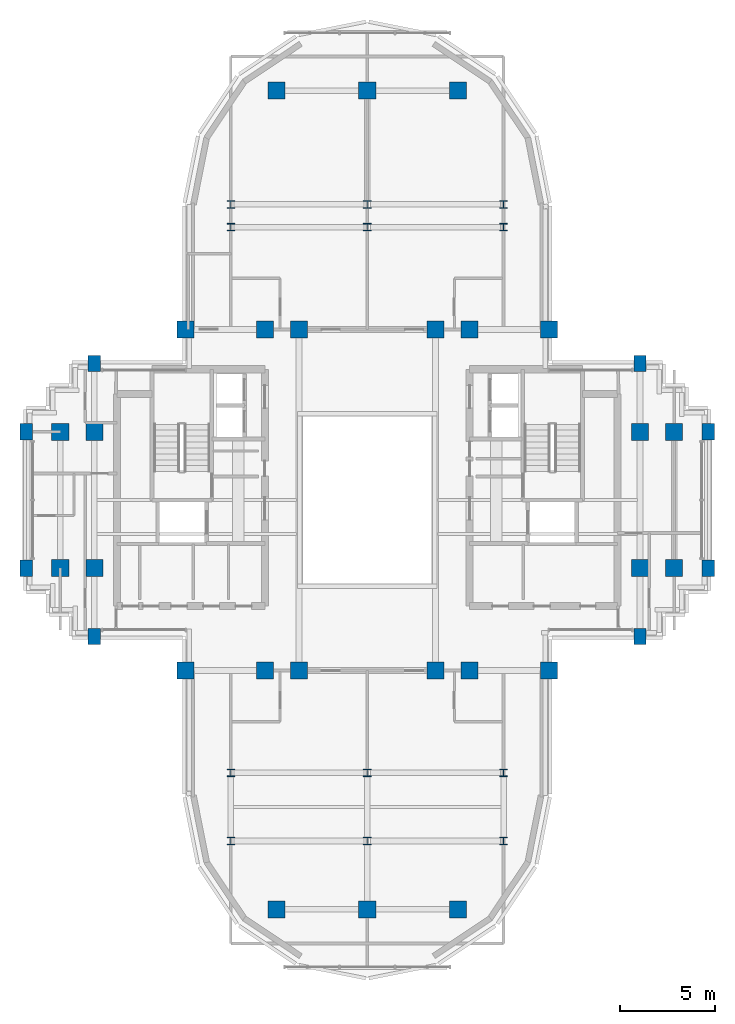
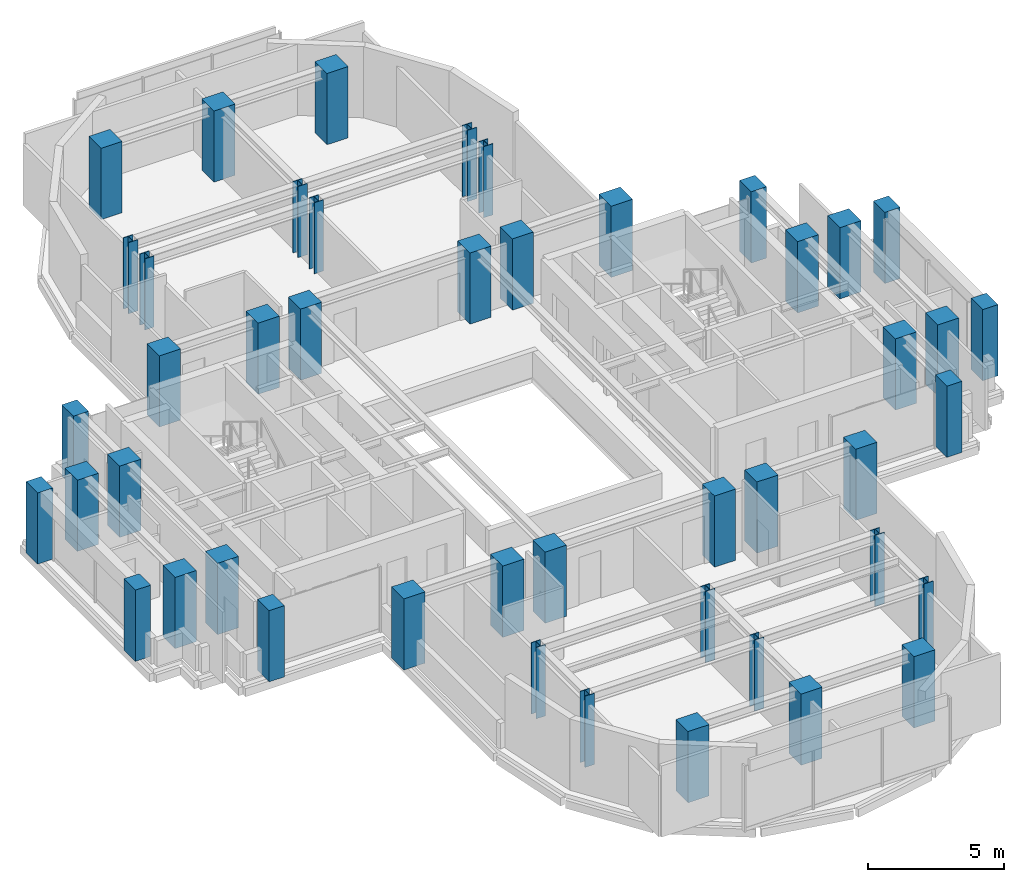
# One storey, part 1 of 12: 46 columns.
"""IFC4 building model written with IfcOpenShell, lengths in metres."""

from ifc_helpers import new_model, si_unit, direction, frame, origin, origin_2d, place, context, subcontext, project, spatial, rectangle, i_section, extrude, source, transform, mapped, material, material_profile, profile_set, type_object, element, save


model = new_model("IFC4")

# Units and contexts
model_context = context("Model", 3, precision=1e-05, world=origin(), true_north=direction((0.0, 1.0)))
body_context = subcontext(model_context, "Body", "Model", "MODEL_VIEW")
ifc_project = project(units=[si_unit("LENGTHUNIT", "METRE"), si_unit("AREAUNIT", "SQUARE_METRE"), si_unit("VOLUMEUNIT", "CUBIC_METRE"), si_unit("PLANEANGLEUNIT", "RADIAN"), si_unit("MASSUNIT", "GRAM", prefix="KILO")], contexts=[model_context])

# Site, building, storey
site_placement = place(None, origin())
site = spatial("IfcSite", under=ifc_project, at=site_placement, CompositionType="ELEMENT")
building_placement = place(site_placement, origin())
building = spatial("IfcBuilding", under=site, at=building_placement, Name="Keilestroom Media Tower", CompositionType="ELEMENT")
storey_placement = place(building_placement, frame((0.0, 0.0, 187.60009765625)))
storey = spatial("IfcBuildingStorey", under=building, at=storey_placement, Name="L51", CompositionType="ELEMENT", Elevation=187.60009765625)

# Columns
ifc_material_1 = material(Name="Precast concrete C40/50", Category="concrete")
ifc_material_profile_1 = material_profile(ifc_material_1, rectangle(XDim=0.64990234375, YDim=0.85009765625, at=origin_2d()), Name="PC 850x650")
ifc_profile_set_1 = profile_set([ifc_material_profile_1], Name="Precast concrete C40/50")
column_type_1 = type_object("IfcColumnType", Name="Structural-Column-PC-850x650", PredefinedType="COLUMN", material=ifc_profile_set_1)
shared_shape_1 = source(origin(), body_context, "Body", "SweptSolid", [
    extrude(rectangle(XDim=0.64990234375, YDim=0.85009765625, at=origin_2d()), origin(), (0.0, 0.0, 1.0), 3.199951171875),
])
for number, where, z_axis, x_axis, name in (
    (1, (-18.0, -3.60009765625, 0.0), (0.0, 0.0, 1.0), (1.0, 0.0, 0.0), "L51 Column PC-2 (-18.0,-3.6)"),
    (2, (-18.0, 3.60009765625, 0.0), (0.0, 0.0, 1.0), (1.0, 0.0, 0.0), "L51 Column PC-2 (-18.0,+3.6)"),
    (3, (-14.39990234375, -7.199951171875, 0.0), (0.0, 0.0, 1.0), (1.0, 0.0, 0.0), "L51 Column PC-2 (-14.4,-7.2)"),
    (4, (-14.39990234375, 7.199951171875, 0.0), (0.0, 0.0, 1.0), (1.0, 0.0, 0.0), "L51 Column PC-2 (-14.4,+7.2)"),
    (5, (14.39990234375, -7.199951171875, 0.0), (0.0, 0.0, 1.0), (1.0, 0.0, 0.0), "L51 Column PC-2 (+14.4,-7.2)"),
    (6, (14.39990234375, 7.199951171875, 0.0), (0.0, 0.0, 1.0), (1.0, 0.0, 0.0), "L51 Column PC-2 (+14.4,+7.2)"),
    (7, (18.0, -3.60009765625, 0.0), (0.0, 0.0, 1.0), (1.0, 0.0, 0.0), "L51 Column PC-2 (+18.0,-3.6)"),
    (8, (18.0, 3.60009765625, 0.0), (0.0, 0.0, 1.0), (1.0, 0.0, 0.0), "L51 Column PC-2 (+18.0,+3.6)"),
):
    element("IfcColumn", number, at=place(storey_placement, frame(where, z_axis=z_axis, x_axis=x_axis)), inside=storey, type_object=column_type_1, Name=name, PredefinedType="COLUMN", context=body_context, shape_type="MappedRepresentation", body=[
        mapped(shared_shape_1, transform((0.0, 0.0, 0.0), x_axis=(1.0, 0.0, 0.0), y_axis=(0.0, 1.0, 0.0), z_axis=(0.0, 0.0, 1.0), scale=1.0)),
    ])
ifc_material_2 = material(Name="Concrete C55/67", Category="concrete")
ifc_material_profile_2 = material_profile(ifc_material_2, rectangle(XDim=0.89990234375, YDim=0.89990234375, at=origin_2d()), Name="RC 900x900")
ifc_profile_set_2 = profile_set([ifc_material_profile_2], Name="Concrete C55/67")
column_type_2 = type_object("IfcColumnType", Name="Structural-Column-RC-900x900", PredefinedType="COLUMN", material=ifc_profile_set_2)
shared_shape_2 = source(origin(), body_context, "Body", "SweptSolid", [
    extrude(rectangle(XDim=0.89990234375, YDim=0.89990234375, at=origin_2d()), origin(), (0.0, 0.0, 1.0), 3.199951171875),
])
for number, where, z_axis, x_axis, name in (
    (9, (-16.199951171875, -3.60009765625, 0.0), (0.0, 0.0, 1.0), (1.0, 0.0, 0.0), "L51 Column MC-4 (-16.2,-3.6)"),
    (10, (-16.199951171875, 3.60009765625, 0.0), (0.0, 0.0, 1.0), (1.0, 0.0, 0.0), "L51 Column MC-4 (-16.2,+3.6)"),
    (11, (-14.39990234375, -3.60009765625, 0.0), (0.0, 0.0, 1.0), (1.0, 0.0, 0.0), "L51 Column MC-4 (-14.4,-3.6)"),
    (12, (-14.39990234375, 3.60009765625, 0.0), (0.0, 0.0, 1.0), (1.0, 0.0, 0.0), "L51 Column MC-4 (-14.4,+3.6)"),
    (13, (-9.60009765625, -9.0, 0.0), (0.0, 0.0, 1.0), (1.0, 0.0, 0.0), "L51 Column MC-4 (-9.6,-9.0)"),
    (14, (-9.60009765625, 9.0, 0.0), (0.0, 0.0, 1.0), (1.0, 0.0, 0.0), "L51 Column MC-4 (-9.6,+9.0)"),
    (15, (-5.39990234375, -9.0, 0.0), (0.0, 0.0, 1.0), (1.0, 0.0, 0.0), "L51 Column MC-4 (-5.4,-9.0)"),
    (16, (-5.39990234375, 9.0, 0.0), (0.0, 0.0, 1.0), (1.0, 0.0, 0.0), "L51 Column MC-4 (-5.4,+9.0)"),
    (17, (-4.800048828125, -21.60009765625, 0.0), (0.0, 0.0, 1.0), (1.0, 0.0, 0.0), "L51 Column MC-4 (-4.8,-21.6)"),
    (18, (-4.800048828125, 21.60009765625, 0.0), (0.0, 0.0, 1.0), (1.0, 0.0, 0.0), "L51 Column MC-4 (-4.8,+21.6)"),
    (19, (-3.60009765625, -9.0, 0.0), (0.0, 0.0, 1.0), (1.0, 0.0, 0.0), "L51 Column MC-4 (-3.6,-9.0)"),
    (20, (-3.60009765625, 9.0, 0.0), (0.0, 0.0, 1.0), (1.0, 0.0, 0.0), "L51 Column MC-4 (-3.6,+9.0)"),
    (21, (0.0, -21.60009765625, 0.0), (0.0, 0.0, 1.0), (1.0, 0.0, 0.0), "L51 Column MC-4 (+0.0,-21.6)"),
    (22, (0.0, 21.60009765625, 0.0), (0.0, 0.0, 1.0), (1.0, 0.0, 0.0), "L51 Column MC-4 (+0.0,+21.6)"),
    (23, (3.60009765625, -9.0, 0.0), (0.0, 0.0, 1.0), (1.0, 0.0, 0.0), "L51 Column MC-4 (+3.6,-9.0)"),
    (24, (3.60009765625, 9.0, 0.0), (0.0, 0.0, 1.0), (1.0, 0.0, 0.0), "L51 Column MC-4 (+3.6,+9.0)"),
    (25, (4.800048828125, -21.60009765625, 0.0), (0.0, 0.0, 1.0), (1.0, 0.0, 0.0), "L51 Column MC-4 (+4.8,-21.6)"),
    (26, (4.800048828125, 21.60009765625, 0.0), (0.0, 0.0, 1.0), (1.0, 0.0, 0.0), "L51 Column MC-4 (+4.8,+21.6)"),
    (27, (5.39990234375, -9.0, 0.0), (0.0, 0.0, 1.0), (1.0, 0.0, 0.0), "L51 Column MC-4 (+5.4,-9.0)"),
    (28, (5.39990234375, 9.0, 0.0), (0.0, 0.0, 1.0), (1.0, 0.0, 0.0), "L51 Column MC-4 (+5.4,+9.0)"),
    (29, (9.60009765625, -9.0, 0.0), (0.0, 0.0, 1.0), (1.0, 0.0, 0.0), "L51 Column MC-4 (+9.6,-9.0)"),
    (30, (9.60009765625, 9.0, 0.0), (0.0, 0.0, 1.0), (1.0, 0.0, 0.0), "L51 Column MC-4 (+9.6,+9.0)"),
    (31, (14.39990234375, -3.60009765625, 0.0), (0.0, 0.0, 1.0), (1.0, 0.0, 0.0), "L51 Column MC-4 (+14.4,-3.6)"),
    (32, (14.39990234375, 3.60009765625, 0.0), (0.0, 0.0, 1.0), (1.0, 0.0, 0.0), "L51 Column MC-4 (+14.4,+3.6)"),
    (33, (16.199951171875, -3.60009765625, 0.0), (0.0, 0.0, 1.0), (1.0, 0.0, 0.0), "L51 Column MC-4 (+16.2,-3.6)"),
    (34, (16.199951171875, 3.60009765625, 0.0), (0.0, 0.0, 1.0), (1.0, 0.0, 0.0), "L51 Column MC-4 (+16.2,+3.6)"),
):
    element("IfcColumn", number, at=place(storey_placement, frame(where, z_axis=z_axis, x_axis=x_axis)), inside=storey, type_object=column_type_2, Name=name, PredefinedType="COLUMN", context=body_context, shape_type="MappedRepresentation", body=[
        mapped(shared_shape_2, transform((0.0, 0.0, 0.0), x_axis=(1.0, 0.0, 0.0), y_axis=(0.0, 1.0, 0.0), z_axis=(0.0, 0.0, 1.0), scale=1.0)),
    ])
ifc_material_3 = material(Name="Steel S355", Category="steel")
ifc_material_profile_3 = material_profile(ifc_material_3, i_section(OverallWidth=0.39794921875, OverallDepth=0.386962890625, WebThickness=0.017578125, FlangeThickness=0.028076171875, at=origin_2d()), Name="HD 400x262")
ifc_profile_set_3 = profile_set([ifc_material_profile_3], Name="Steel S355")
column_type_3 = type_object("IfcColumnType", Name="Structural-Column-HD-400x262", PredefinedType="COLUMN", material=ifc_profile_set_3)
shared_shape_3 = source(origin(), body_context, "Body", "SweptSolid", [
    extrude(i_section(OverallWidth=0.39794921875, OverallDepth=0.386962890625, WebThickness=0.017578125, FlangeThickness=0.028076171875, at=origin_2d()), origin(), (0.0, 0.0, 1.0), 3.199951171875),
])
for number, where, z_axis, x_axis, name in (
    (35, (-7.199951171875, -18.0, 0.0), (0.0, 0.0, 1.0), (1.0, 0.0, 0.0), "L51 Column SC-4 (-7.2,-18.0)"),
    (36, (-7.199951171875, -14.39990234375, 0.0), (0.0, 0.0, 1.0), (1.0, 0.0, 0.0), "L51 Column SC-4 (-7.2,-14.4)"),
    (37, (-7.199951171875, 14.39990234375, 0.0), (0.0, 0.0, 1.0), (1.0, 0.0, 0.0), "L51 Column SC-4 (-7.2,+14.4)"),
    (38, (-7.199951171875, 15.60009765625, 0.0), (0.0, 0.0, 1.0), (1.0, 0.0, 0.0), "L51 Column SC-4 (-7.2,+15.6)"),
    (39, (0.0, -18.0, 0.0), (0.0, 0.0, 1.0), (1.0, 0.0, 0.0), "L51 Column SC-4 (+0.0,-18.0)"),
    (40, (0.0, -14.39990234375, 0.0), (0.0, 0.0, 1.0), (1.0, 0.0, 0.0), "L51 Column SC-4 (+0.0,-14.4)"),
    (41, (0.0, 14.39990234375, 0.0), (0.0, 0.0, 1.0), (1.0, 0.0, 0.0), "L51 Column SC-4 (+0.0,+14.4)"),
    (42, (0.0, 15.60009765625, 0.0), (0.0, 0.0, 1.0), (1.0, 0.0, 0.0), "L51 Column SC-4 (+0.0,+15.6)"),
    (43, (7.199951171875, -18.0, 0.0), (0.0, 0.0, 1.0), (1.0, 0.0, 0.0), "L51 Column SC-4 (+7.2,-18.0)"),
    (44, (7.199951171875, -14.39990234375, 0.0), (0.0, 0.0, 1.0), (1.0, 0.0, 0.0), "L51 Column SC-4 (+7.2,-14.4)"),
    (45, (7.199951171875, 14.39990234375, 0.0), (0.0, 0.0, 1.0), (1.0, 0.0, 0.0), "L51 Column SC-4 (+7.2,+14.4)"),
    (46, (7.199951171875, 15.60009765625, 0.0), (0.0, 0.0, 1.0), (1.0, 0.0, 0.0), "L51 Column SC-4 (+7.2,+15.6)"),
):
    element("IfcColumn", number, at=place(storey_placement, frame(where, z_axis=z_axis, x_axis=x_axis)), inside=storey, type_object=column_type_3, Name=name, PredefinedType="COLUMN", context=body_context, shape_type="MappedRepresentation", body=[
        mapped(shared_shape_3, transform((0.0, 0.0, 0.0), x_axis=(1.0, 0.0, 0.0), y_axis=(0.0, 1.0, 0.0), z_axis=(0.0, 0.0, 1.0), scale=1.0)),
    ])

save(model, "model.ifc")
